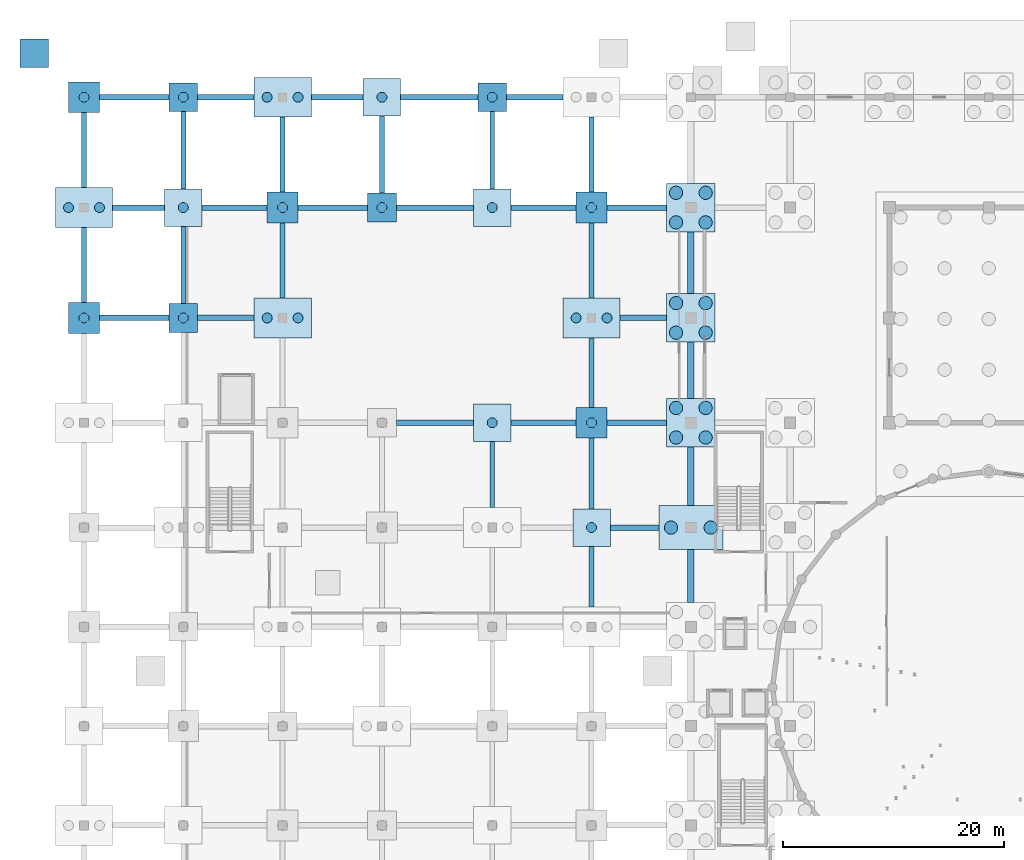
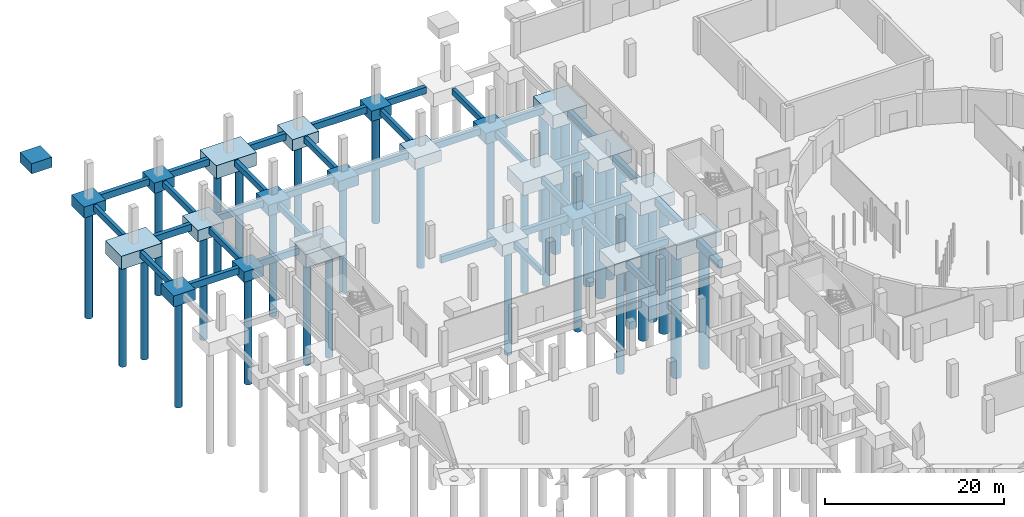
# One storey, part 6 of 40: 59 footings, 36 piles.
"""IFC4 building model written with IfcOpenShell, lengths in metres."""

import ifcopenshell
import ifcopenshell.guid

model = None  # the IFC model being written
_history = None  # IfcOwnerHistory: only IFC2X3 demands one
_inside = {}  # id of a spatial element -> (the spatial element, [elements in it])
_under = {}  # id of a project, library or spatial element -> (it, [spatial elements below it])
_declared = {}  # id of a project -> (the project, [libraries it declares])
_typed = {}  # id of a type object -> (the type object, [elements of that type])
_made_of = {}  # id of a material, layer set ... -> (it, [elements and type objects made of it])


def new_model(schema):
    """Start an empty IFC model of exactly this schema.

    Asked for "IFC4X3", IfcOpenShell would pick the latest addendum, in which some entities
    have other attributes; the version numbers below select the first issue.
    IFC2X3 requires an IfcOwnerHistory on every rooted entity: one is made here for all.
    """
    global model, _history
    if schema == "IFC4X3":
        model = ifcopenshell.file(schema_version=(4, 3, 0, 0))
    else:
        model = ifcopenshell.file(schema=schema)
    _inside.clear()
    _under.clear()
    _declared.clear()
    _typed.clear()
    _made_of.clear()
    _history = None
    if model.schema == "IFC2X3":
        org = make("IfcOrganization", Name="unknown")
        user = make(
            "IfcPersonAndOrganization",
            ThePerson=make("IfcPerson", FamilyName="unknown"),
            TheOrganization=org,
        )
        app = make(
            "IfcApplication",
            ApplicationDeveloper=org,
            Version="unknown",
            ApplicationFullName="unknown",
            ApplicationIdentifier="unknown",
        )
        _history = make(
            "IfcOwnerHistory",
            OwningUser=user,
            OwningApplication=app,
            ChangeAction="ADDED",
            CreationDate=0,
        )
    return model


def make(cls, **values):
    """One entity of the class cls with the attributes given. An attribute that is None is left unset."""
    return model.create_entity(
        cls, **{name: value for name, value in values.items() if value is not None}
    )


def rooted(cls, **values):
    """An entity with a GlobalId (a new one), such as an element, a storey or a relation."""
    return make(cls, GlobalId=ifcopenshell.guid.new(), OwnerHistory=_history, **values)


def si_unit(unit_type, name, prefix=None):
    """IfcSIUnit, for example si_unit("LENGTHUNIT", "METRE", prefix="MILLI")."""
    return make("IfcSIUnit", UnitType=unit_type, Prefix=prefix, Name=name)


def assignment(units):
    """IfcUnitAssignment: the units of a project."""
    return None if units is None else make("IfcUnitAssignment", Units=units)


def point(xyz):
    """IfcCartesianPoint."""
    return None if xyz is None else make("IfcCartesianPoint", Coordinates=xyz)


def direction(xyz):
    """IfcDirection."""
    return None if xyz is None else make("IfcDirection", DirectionRatios=xyz)


def frame(location, z_axis=None, x_axis=None):
    """IfcAxis2Placement3D, a coordinate frame: its origin and axes. An axis left out is left unset."""
    return make(
        "IfcAxis2Placement3D",
        Location=point(location),
        Axis=direction(z_axis),
        RefDirection=direction(x_axis),
    )


def frame_2d(location, x_axis=None):
    """IfcAxis2Placement2D, a coordinate frame in the plane: its origin and x axis."""
    return make(
        "IfcAxis2Placement2D", Location=point(location), RefDirection=direction(x_axis)
    )


def origin():
    """The frame at (0, 0, 0) with its axes left unset."""
    return frame((0.0, 0.0, 0.0))


def origin_2d():
    """The frame at (0, 0) in the plane with its x axis left unset."""
    return frame_2d((0.0, 0.0))


def place(relative_to, where):
    """IfcLocalPlacement: puts the frame where relative to a parent placement (None: the world)."""
    return make(
        "IfcLocalPlacement", PlacementRelTo=relative_to, RelativePlacement=where
    )


def context(
    kind, dimensions, precision=None, world=None, true_north=None, identifier=None
):
    """IfcGeometricRepresentationContext, for example the 3D "Model" context."""
    return make(
        "IfcGeometricRepresentationContext",
        ContextIdentifier=identifier,
        ContextType=kind,
        CoordinateSpaceDimension=dimensions,
        Precision=precision,
        WorldCoordinateSystem=world,
        TrueNorth=true_north,
    )


def subcontext(parent, identifier, kind, view, scale=None):
    """IfcGeometricRepresentationSubContext, for example "Body" below "Model"."""
    return make(
        "IfcGeometricRepresentationSubContext",
        ContextIdentifier=identifier,
        ContextType=kind,
        ParentContext=parent,
        TargetScale=scale,
        TargetView=view,
    )


def project(units=None, contexts=None):
    """IfcProject with its units and contexts."""
    return rooted(
        "IfcProject",
        Name="project",
        RepresentationContexts=contexts,
        UnitsInContext=assignment(units),
    )


def spatial(cls, under=None, at=None, **own):
    """A site, building, storey or space (cls), placed at a placement, below another one or the project."""
    s = rooted(cls, ObjectPlacement=at, **own)
    if under is not None:
        _under.setdefault(under.id(), (under, []))[1].append(s)
    return s


def profile(cls, at=None, kind="AREA", **sizes):
    """A parametric profile (cls). Its sizes go by their IFC names, for example OverallWidth=200.0."""
    return make(cls, ProfileType=kind, Position=at, **sizes)


def rectangle(**sizes):
    """IfcRectangleProfileDef."""
    return profile("IfcRectangleProfileDef", **sizes)


def circle(**sizes):
    """IfcCircleProfileDef."""
    return profile("IfcCircleProfileDef", **sizes)


def extrude(swept, where, along, depth):
    """IfcExtrudedAreaSolid: the profile swept, set in the frame where, extruded along a direction by depth."""
    return make(
        "IfcExtrudedAreaSolid",
        SweptArea=swept,
        Position=where,
        ExtrudedDirection=direction(along),
        Depth=depth,
    )


def shape(context_of_items, identifier, shape_type, items):
    """IfcShapeRepresentation: the items that make up one representation, for example the "Body"."""
    return make(
        "IfcShapeRepresentation",
        ContextOfItems=context_of_items,
        RepresentationIdentifier=identifier,
        RepresentationType=shape_type,
        Items=items,
    )


def material(Name=None, Category=None):
    """IfcMaterial."""
    return make("IfcMaterial", Name=Name, Category=Category)


def layer(
    of_material, thickness, ventilated=None, Name=None, Category=None, Priority=None
):
    """IfcMaterialLayer: one layer of a wall or slab, of a material (None: an air gap)."""
    return make(
        "IfcMaterialLayer",
        Material=of_material,
        LayerThickness=thickness,
        IsVentilated=ventilated,
        Name=Name,
        Category=Category,
        Priority=Priority,
    )


def layer_set(layers, Name=None):
    """IfcMaterialLayerSet."""
    return make("IfcMaterialLayerSet", MaterialLayers=layers, LayerSetName=Name)


def material_profile(
    of_material, cross_section, Name=None, Category=None, Priority=None
):
    """IfcMaterialProfile: a cross section and its material."""
    return make(
        "IfcMaterialProfile",
        Name=Name,
        Material=of_material,
        Profile=cross_section,
        Priority=Priority,
        Category=Category,
    )


def profile_set(profiles, Name=None, composite=None):
    """IfcMaterialProfileSet."""
    return make(
        "IfcMaterialProfileSet",
        Name=Name,
        MaterialProfiles=profiles,
        CompositeProfile=composite,
    )


def made_of(thing, what):
    """Note that an element or type object is made of a material, layer set ...; save() writes the relation."""
    if what is not None:
        _made_of.setdefault(what.id(), (what, []))[1].append(thing)
    return thing


def type_object(cls, material=None, **own):
    """A type object (cls), such as IfcWallType, which elements share."""
    return made_of(rooted(cls, **own), material)


def element(
    cls,
    number,
    at=None,
    inside=None,
    cuts=None,
    type_object=None,
    material=None,
    context=None,
    identifier="Body",
    shape_type=None,
    held_by="IfcProductDefinitionShape",
    body=None,
    shapes=None,
    **own,
):
    """One element of the class cls, such as IfcWall. Its Tag is "e" and its number.

    at: its placement. inside: the storey or other place that contains it. cuts: it is an
    opening in that element (IfcRelVoidsElement). A single representation is given by context,
    identifier, shape_type and body (its items); several are given by shapes. held_by: the class
    of the entity that holds the representations. save() writes the other relations.
    """
    e = rooted(cls, Tag="e%d" % number, ObjectPlacement=at, **own)
    if body is not None:
        shapes = [shape(context, identifier, shape_type, body)]
    if shapes is not None:
        e.Representation = make(held_by, Representations=shapes)
    if inside is not None:
        _inside.setdefault(inside.id(), (inside, []))[1].append(e)
    if cuts is not None:
        rooted(
            "IfcRelVoidsElement", RelatingBuildingElement=cuts, RelatedOpeningElement=e
        )
    if type_object is not None:
        _typed.setdefault(type_object.id(), (type_object, []))[1].append(e)
    return made_of(e, material)


def aggregate(whole, parts):
    """IfcRelAggregates: a whole, such as a stair, and the parts it consists of."""
    return rooted("IfcRelAggregates", RelatingObject=whole, RelatedObjects=parts)


def save(model, path):
    """Write the relations noted so far, then the file.

    IfcRelAggregates (storeys below a building ...), IfcRelContainedInSpatialStructure (elements
    in a storey), IfcRelDefinesByType, IfcRelAssociatesMaterial and IfcRelDeclares: one each for
    every whole, place, type object, material and project.
    """
    for whole, parts in _under.values():
        aggregate(whole, parts)
    for where, things in _inside.values():
        rooted(
            "IfcRelContainedInSpatialStructure",
            RelatedElements=things,
            RelatingStructure=where,
        )
    for kind, things in _typed.values():
        rooted("IfcRelDefinesByType", RelatedObjects=things, RelatingType=kind)
    for what, things in _made_of.values():
        rooted("IfcRelAssociatesMaterial", RelatedObjects=things, RelatingMaterial=what)
    for by, libraries in _declared.values():
        rooted("IfcRelDeclares", RelatingContext=by, RelatedDefinitions=libraries)
    model.write(path)


model = new_model("IFC4")

# Units and contexts
model_context = context("Model", 3, precision=1e-05, world=origin(), true_north=direction((0.0, 1.0)))
body_context = subcontext(model_context, "Body", "Model", "MODEL_VIEW")
ifc_project = project(units=[si_unit("LENGTHUNIT", "METRE"), si_unit("AREAUNIT", "SQUARE_METRE"), si_unit("VOLUMEUNIT", "CUBIC_METRE"), si_unit("PLANEANGLEUNIT", "RADIAN"), si_unit("MASSUNIT", "GRAM", prefix="KILO")], contexts=[model_context])

# Site, building, storey
site_placement = place(None, origin())
site = spatial("IfcSite", under=ifc_project, at=site_placement, CompositionType="ELEMENT")
building_placement = place(site_placement, origin())
building = spatial("IfcBuilding", under=site, at=building_placement, Name="Marnock Terrace Opera House", CompositionType="ELEMENT")
storey_placement = place(building_placement, frame((0.0, 0.0, -4.800048828125)))
storey = spatial("IfcBuildingStorey", under=building, at=storey_placement, Name="B1", CompositionType="ELEMENT", Elevation=-4.800048828125)

# Footings
ifc_material = material(Name="Concrete N40 (f'c = 40 MPa)", Category="concrete")
ifc_layer_1 = layer(ifc_material, 1.39990234375)
ifc_layer_set_1 = layer_set([ifc_layer_1], Name="Concrete N40 (f'c = 40 MPa)")
footing_type_1 = type_object("IfcFootingType", Name="FT-CAP-2600", PredefinedType="PILE_CAP", material=ifc_layer_set_1)
for number, where, z_axis, x_axis, name in (
    (1, (9.0, 94.0, -1.7998046875), (0.0, 0.0, 1.0), (1.0, 0.0, 0.0), "Pile cap FT-CAP-024"),
    (2, (9.0, 114.0, -1.7998046875), (0.0, 0.0, 1.0), (1.0, 0.0, 0.0), "Pile cap FT-CAP-026"),
    (3, (27.0, 104.0, -1.7998046875), (0.0, 0.0, 1.0), (1.0, 0.0, 0.0), "Pile cap FT-CAP-050"),
    (4, (37.0, 114.0, -1.7998046875), (0.0, 0.0, 1.0), (1.0, 0.0, 0.0), "Pile cap FT-CAP-063"),
):
    element("IfcFooting", number, at=place(storey_placement, frame(where, z_axis=z_axis, x_axis=x_axis)), inside=storey, type_object=footing_type_1, Name=name, PredefinedType="PILE_CAP", context=body_context, shape_type="SweptSolid", body=[
        extrude(rectangle(XDim=2.60009765625, YDim=2.60009765625, at=origin_2d()), origin(), (0.0, 0.0, 1.0), 1.39990234375),
    ])
ifc_layer_2 = layer(ifc_material, 1.5)
ifc_layer_set_2 = layer_set([ifc_layer_2], Name="Concrete N40 (f'c = 40 MPa)")
footing_type_2 = type_object("IfcFootingType", Name="FT-CAP-2800", PredefinedType="PILE_CAP", material=ifc_layer_set_2)
for number, where, z_axis, x_axis, name in (
    (5, (0.0, 94.0, -1.89990234375), (0.0, 0.0, 1.0), (1.0, 0.0, 0.0), "Pile cap FT-CAP-011"),
    (6, (0.0, 114.0, -1.89990234375), (0.0, 0.0, 1.0), (1.0, 0.0, 0.0), "Pile cap FT-CAP-013"),
    (7, (18.0, 104.0, -1.89990234375), (0.0, 0.0, 1.0), (1.0, 0.0, 0.0), "Pile cap FT-CAP-038"),
    (8, (46.0, 84.5, -1.89990234375), (0.0, 0.0, 1.0), (1.0, 0.0, 0.0), "Pile cap FT-CAP-073"),
    (9, (46.0, 104.0, -1.89990234375), (0.0, 0.0, 1.0), (1.0, 0.0, 0.0), "Pile cap FT-CAP-075"),
):
    element("IfcFooting", number, at=place(storey_placement, frame(where, z_axis=z_axis, x_axis=x_axis)), inside=storey, type_object=footing_type_2, Name=name, PredefinedType="PILE_CAP", context=body_context, shape_type="SweptSolid", body=[
        extrude(rectangle(XDim=2.800048828125, YDim=2.800048828125, at=origin_2d()), origin(), (0.0, 0.0, 1.0), 1.5),
    ])
ifc_layer_3 = layer(ifc_material, 1.550048828125)
ifc_layer_set_3 = layer_set([ifc_layer_3], Name="Concrete N40 (f'c = 40 MPa)")
footing_type_3 = type_object("IfcFootingType", Name="FT-CAP-3400", PredefinedType="PILE_CAP", material=ifc_layer_set_3)
for number, where, z_axis, x_axis, name in (
    (10, (9.0, 104.0, -1.9501953125), (0.0, 0.0, 1.0), (1.0, 0.0, 0.0), "Pile cap FT-CAP-025"),
    (11, (27.0, 114.0, -1.9501953125), (0.0, 0.0, 1.0), (1.0, 0.0, 0.0), "Pile cap FT-CAP-051"),
    (12, (37.0, 84.5, -1.9501953125), (0.0, 0.0, 1.0), (1.0, 0.0, 0.0), "Pile cap FT-CAP-061"),
    (13, (37.0, 104.0, -1.9501953125), (0.0, 0.0, 1.0), (1.0, 0.0, 0.0), "Pile cap FT-CAP-062"),
    (14, (46.0, 75.0, -1.9501953125), (0.0, 0.0, 1.0), (1.0, 0.0, 0.0), "Pile cap FT-CAP-072"),
):
    element("IfcFooting", number, at=place(storey_placement, frame(where, z_axis=z_axis, x_axis=x_axis)), inside=storey, type_object=footing_type_3, Name=name, PredefinedType="PILE_CAP", context=body_context, shape_type="SweptSolid", body=[
        extrude(rectangle(XDim=3.39990234375, YDim=3.39990234375, at=origin_2d()), origin(), (0.0, 0.0, 1.0), 1.550048828125),
    ])
ifc_layer_4 = layer(ifc_material, 1.800048828125)
ifc_layer_set_4 = layer_set([ifc_layer_4], Name="Concrete N40 (f'c = 40 MPa)")
footing_type_4 = type_object("IfcFootingType", Name="FT-CAP-4400", PredefinedType="PILE_CAP", material=ifc_layer_set_4)
for number, where, z_axis, x_axis, name in (
    (15, (55.0, 84.5, -2.2001953125), (0.0, 0.0, 1.0), (1.0, 0.0, 0.0), "Pile cap FT-CAP-086"),
    (16, (55.0, 94.0, -2.2001953125), (0.0, 0.0, 1.0), (1.0, 0.0, 0.0), "Pile cap FT-CAP-087"),
    (17, (55.0, 104.0, -2.2001953125), (0.0, 0.0, 1.0), (1.0, 0.0, 0.0), "Pile cap FT-CAP-088"),
):
    element("IfcFooting", number, at=place(storey_placement, frame(where, z_axis=z_axis, x_axis=x_axis)), inside=storey, type_object=footing_type_4, Name=name, PredefinedType="PILE_CAP", context=body_context, shape_type="SweptSolid", body=[
        extrude(rectangle(XDim=4.39990234375, YDim=4.39990234375, at=origin_2d()), origin(), (0.0, 0.0, 1.0), 1.800048828125),
    ])
ifc_layer_5 = layer(ifc_material, 1.800048828125)
ifc_layer_set_5 = layer_set([ifc_layer_5], Name="Concrete N40 (f'c = 40 MPa)")
footing_type_5 = type_object("IfcFootingType", Name="FT-CAP-5200", PredefinedType="PILE_CAP", material=ifc_layer_set_5)
for number, where, z_axis, x_axis, name in (
    (18, (0.0, 104.0, -2.2001953125), (0.0, 0.0, 1.0), (1.0, 0.0, 0.0), "Pile cap FT-CAP-012"),
    (19, (18.0, 94.0, -2.2001953125), (0.0, 0.0, 1.0), (1.0, 0.0, 0.0), "Pile cap FT-CAP-037"),
    (20, (18.0, 114.0, -2.2001953125), (0.0, 0.0, 1.0), (1.0, 0.0, 0.0), "Pile cap FT-CAP-039"),
    (21, (46.0, 94.0, -2.2001953125), (0.0, 0.0, 1.0), (1.0, 0.0, 0.0), "Pile cap FT-CAP-074"),
):
    element("IfcFooting", number, at=place(storey_placement, frame(where, z_axis=z_axis, x_axis=x_axis)), inside=storey, type_object=footing_type_5, Name=name, PredefinedType="PILE_CAP", context=body_context, shape_type="SweptSolid", body=[
        extrude(rectangle(XDim=5.199951171875, YDim=3.60009765625, at=origin_2d()), origin(), (0.0, 0.0, 1.0), 1.800048828125),
    ])
ifc_layer_6 = layer(ifc_material, 1.89990234375)
ifc_layer_set_6 = layer_set([ifc_layer_6], Name="Concrete N40 (f'c = 40 MPa)")
footing_type_6 = type_object("IfcFootingType", Name="FT-CAP-5800", PredefinedType="PILE_CAP", material=ifc_layer_set_6)
footing_1_placement = place(storey_placement, frame((55.0, 75.0, -2.2998046875), z_axis=(0.0, 0.0, 1.0), x_axis=(1.0, 0.0, 0.0)))
element("IfcFooting", 22, at=footing_1_placement, inside=storey, type_object=footing_type_6, Name="Pile cap FT-CAP-085", PredefinedType="PILE_CAP", context=body_context, shape_type="SweptSolid", body=[
    extrude(rectangle(XDim=5.800048828125, YDim=4.0, at=origin_2d()), origin(), (0.0, 0.0, 1.0), 1.89990234375),
])
ifc_material_profile_1 = material_profile(ifc_material, rectangle(XDim=0.449951171875, YDim=0.800048828125, at=origin_2d()))
ifc_profile_set_1 = profile_set([ifc_material_profile_1], Name="Concrete N40 (f'c = 40 MPa)")
footing_type_7 = type_object("IfcFootingType", Name="FT-GB-450", PredefinedType="FOOTING_BEAM", material=ifc_profile_set_1)
for number, where, z_axis, x_axis, name in (
    (23, (0.0, 95.39990234375, -0.949951171875), (0.0, 1.0, 0.0), (-1.0, 0.0, 0.0), "Ground tie beam Y-11"),
    (24, (0.0, 105.800048828125, -0.949951171875), (0.0, 1.0, 0.0), (-1.0, 0.0, 0.0), "Ground tie beam Y-12"),
):
    element("IfcFooting", number, at=place(storey_placement, frame(where, z_axis=z_axis, x_axis=x_axis)), inside=storey, type_object=footing_type_7, Name=name, PredefinedType="FOOTING_BEAM", context=body_context, shape_type="SweptSolid", body=[
        extrude(rectangle(XDim=0.449951171875, YDim=0.800048828125, at=origin_2d()), origin(), (0.0, 0.0, 1.0), 6.800048828125),
    ])
for number, where, z_axis, x_axis, name in (
    (25, (9.0, 95.300048828125, -0.949951171875), (0.0, 1.0, 0.0), (-1.0, 0.0, 0.0), "Ground tie beam Y-23"),
    (26, (9.0, 105.699951171875, -0.949951171875), (0.0, 1.0, 0.0), (-1.0, 0.0, 0.0), "Ground tie beam Y-24"),
):
    element("IfcFooting", number, at=place(storey_placement, frame(where, z_axis=z_axis, x_axis=x_axis)), inside=storey, type_object=footing_type_7, Name=name, PredefinedType="FOOTING_BEAM", context=body_context, shape_type="SweptSolid", body=[
        extrude(rectangle(XDim=0.449951171875, YDim=0.800048828125, at=origin_2d()), origin(), (0.0, 0.0, 1.0), 7.0),
    ])
for number, where, z_axis, x_axis, name in (
    (27, (18.0, 95.800048828125, -0.949951171875), (0.0, 1.0, 0.0), (-1.0, 0.0, 0.0), "Ground tie beam Y-35"),
    (28, (18.0, 105.39990234375, -0.949951171875), (0.0, 1.0, 0.0), (-1.0, 0.0, 0.0), "Ground tie beam Y-36"),
):
    element("IfcFooting", number, at=place(storey_placement, frame(where, z_axis=z_axis, x_axis=x_axis)), inside=storey, type_object=footing_type_7, Name=name, PredefinedType="FOOTING_BEAM", context=body_context, shape_type="SweptSolid", body=[
        extrude(rectangle(XDim=0.449951171875, YDim=0.800048828125, at=origin_2d()), origin(), (0.0, 0.0, 1.0), 6.800048828125),
    ])
footing_2_placement = place(storey_placement, frame((27.0, 105.300048828125, -0.949951171875), z_axis=(0.0, 1.0, 0.0), x_axis=(-1.0, 0.0, 0.0)))
element("IfcFooting", 29, at=footing_2_placement, inside=storey, type_object=footing_type_7, Name="Ground tie beam Y-46", PredefinedType="FOOTING_BEAM", context=body_context, shape_type="SweptSolid", body=[
    extrude(rectangle(XDim=0.449951171875, YDim=0.800048828125, at=origin_2d()), origin(), (0.0, 0.0, 1.0), 7.0),
])
footing_3_placement = place(storey_placement, frame((37.0, 76.800048828125, -0.949951171875), z_axis=(0.0, 1.0, 0.0), x_axis=(-1.0, 0.0, 0.0)))
element("IfcFooting", 30, at=footing_3_placement, inside=storey, type_object=footing_type_7, Name="Ground tie beam Y-55", PredefinedType="FOOTING_BEAM", context=body_context, shape_type="SweptSolid", body=[
    extrude(rectangle(XDim=0.449951171875, YDim=0.800048828125, at=origin_2d()), origin(), (0.0, 0.0, 1.0), 6.0),
])
footing_4_placement = place(storey_placement, frame((37.0, 105.699951171875, -0.949951171875), z_axis=(0.0, 1.0, 0.0), x_axis=(-1.0, 0.0, 0.0)))
element("IfcFooting", 31, at=footing_4_placement, inside=storey, type_object=footing_type_7, Name="Ground tie beam Y-56", PredefinedType="FOOTING_BEAM", context=body_context, shape_type="SweptSolid", body=[
    extrude(rectangle(XDim=0.449951171875, YDim=0.800048828125, at=origin_2d()), origin(), (0.0, 0.0, 1.0), 7.0),
])
footing_5_placement = place(storey_placement, frame((46.0, 67.800048828125, -0.949951171875), z_axis=(0.0, 1.0, 0.0), x_axis=(-1.0, 0.0, 0.0)))
element("IfcFooting", 32, at=footing_5_placement, inside=storey, type_object=footing_type_7, Name="Ground tie beam Y-64", PredefinedType="FOOTING_BEAM", context=body_context, shape_type="SweptSolid", body=[
    extrude(rectangle(XDim=0.449951171875, YDim=0.800048828125, at=origin_2d()), origin(), (0.0, 0.0, 1.0), 5.5),
])
footing_6_placement = place(storey_placement, frame((46.0, 76.699951171875, -0.949951171875), z_axis=(0.0, 1.0, 0.0), x_axis=(-1.0, 0.0, 0.0)))
element("IfcFooting", 33, at=footing_6_placement, inside=storey, type_object=footing_type_7, Name="Ground tie beam Y-65", PredefinedType="FOOTING_BEAM", context=body_context, shape_type="SweptSolid", body=[
    extrude(rectangle(XDim=0.449951171875, YDim=0.800048828125, at=origin_2d()), origin(), (0.0, 0.0, 1.0), 6.400146484375),
])
footing_7_placement = place(storey_placement, frame((46.0, 85.89990234375, -0.949951171875), z_axis=(0.0, 1.0, 0.0), x_axis=(-1.0, 0.0, 0.0)))
element("IfcFooting", 34, at=footing_7_placement, inside=storey, type_object=footing_type_7, Name="Ground tie beam Y-66", PredefinedType="FOOTING_BEAM", context=body_context, shape_type="SweptSolid", body=[
    extrude(rectangle(XDim=0.449951171875, YDim=0.800048828125, at=origin_2d()), origin(), (0.0, 0.0, 1.0), 6.300048828125),
])
for number, where, z_axis, x_axis, name in (
    (35, (46.0, 95.800048828125, -0.949951171875), (0.0, 1.0, 0.0), (-1.0, 0.0, 0.0), "Ground tie beam Y-67"),
    (36, (46.0, 105.39990234375, -0.949951171875), (0.0, 1.0, 0.0), (-1.0, 0.0, 0.0), "Ground tie beam Y-68"),
):
    element("IfcFooting", number, at=place(storey_placement, frame(where, z_axis=z_axis, x_axis=x_axis)), inside=storey, type_object=footing_type_7, Name=name, PredefinedType="FOOTING_BEAM", context=body_context, shape_type="SweptSolid", body=[
        extrude(rectangle(XDim=0.449951171875, YDim=0.800048828125, at=origin_2d()), origin(), (0.0, 0.0, 1.0), 6.800048828125),
    ])
ifc_material_profile_2 = material_profile(ifc_material, rectangle(XDim=0.5, YDim=0.89990234375, at=origin_2d()))
ifc_profile_set_2 = profile_set([ifc_material_profile_2], Name="Concrete N40 (f'c = 40 MPa)")
footing_type_8 = type_object("IfcFootingType", Name="FT-GB-500", PredefinedType="FOOTING_BEAM", material=ifc_profile_set_2)
footing_8_placement = place(storey_placement, frame((47.699951171875, 75.0, -0.849853515625), z_axis=(1.0, 0.0, 0.0), x_axis=(0.0, 1.0, 0.0)))
element("IfcFooting", 37, at=footing_8_placement, inside=storey, type_object=footing_type_8, Name="Ground tie beam X-328", PredefinedType="FOOTING_BEAM", context=body_context, shape_type="SweptSolid", body=[
    extrude(rectangle(XDim=0.5, YDim=0.89990234375, at=origin_2d()), origin(), (0.0, 0.0, 1.0), 4.400146484375),
])
footing_9_placement = place(storey_placement, frame((28.300048828125, 84.5, -0.849853515625), z_axis=(1.0, 0.0, 0.0), x_axis=(0.0, 1.0, 0.0)))
element("IfcFooting", 38, at=footing_9_placement, inside=storey, type_object=footing_type_8, Name="Ground tie beam X-340", PredefinedType="FOOTING_BEAM", context=body_context, shape_type="SweptSolid", body=[
    extrude(rectangle(XDim=0.5, YDim=0.89990234375, at=origin_2d()), origin(), (0.0, 0.0, 1.0), 7.0),
])
footing_10_placement = place(storey_placement, frame((38.699951171875, 84.5, -0.849853515625), z_axis=(1.0, 0.0, 0.0), x_axis=(0.0, 1.0, 0.0)))
element("IfcFooting", 39, at=footing_10_placement, inside=storey, type_object=footing_type_8, Name="Ground tie beam X-341", PredefinedType="FOOTING_BEAM", context=body_context, shape_type="SweptSolid", body=[
    extrude(rectangle(XDim=0.5, YDim=0.89990234375, at=origin_2d()), origin(), (0.0, 0.0, 1.0), 5.900146484375),
])
footing_11_placement = place(storey_placement, frame((47.39990234375, 84.5, -0.849853515625), z_axis=(1.0, 0.0, 0.0), x_axis=(0.0, 1.0, 0.0)))
element("IfcFooting", 40, at=footing_11_placement, inside=storey, type_object=footing_type_8, Name="Ground tie beam X-342", PredefinedType="FOOTING_BEAM", context=body_context, shape_type="SweptSolid", body=[
    extrude(rectangle(XDim=0.5, YDim=0.89990234375, at=origin_2d()), origin(), (0.0, 0.0, 1.0), 5.400146484375),
])
footing_12_placement = place(storey_placement, frame((1.39990234375, 94.0, -0.849853515625), z_axis=(1.0, 0.0, 0.0), x_axis=(0.0, 1.0, 0.0)))
element("IfcFooting", 41, at=footing_12_placement, inside=storey, type_object=footing_type_8, Name="Ground tie beam X-351", PredefinedType="FOOTING_BEAM", context=body_context, shape_type="SweptSolid", body=[
    extrude(rectangle(XDim=0.5, YDim=0.89990234375, at=origin_2d()), origin(), (0.0, 0.0, 1.0), 6.300048828125),
])
footing_13_placement = place(storey_placement, frame((10.300048828125, 94.0, -0.849853515625), z_axis=(1.0, 0.0, 0.0), x_axis=(0.0, 1.0, 0.0)))
element("IfcFooting", 42, at=footing_13_placement, inside=storey, type_object=footing_type_8, Name="Ground tie beam X-352", PredefinedType="FOOTING_BEAM", context=body_context, shape_type="SweptSolid", body=[
    extrude(rectangle(XDim=0.5, YDim=0.89990234375, at=origin_2d()), origin(), (0.0, 0.0, 1.0), 5.099853515625),
])
footing_14_placement = place(storey_placement, frame((48.60009765625, 94.0, -0.849853515625), z_axis=(1.0, 0.0, 0.0), x_axis=(0.0, 1.0, 0.0)))
element("IfcFooting", 43, at=footing_14_placement, inside=storey, type_object=footing_type_8, Name="Ground tie beam X-353", PredefinedType="FOOTING_BEAM", context=body_context, shape_type="SweptSolid", body=[
    extrude(rectangle(XDim=0.5, YDim=0.89990234375, at=origin_2d()), origin(), (0.0, 0.0, 1.0), 4.199951171875),
])
footing_15_placement = place(storey_placement, frame((2.60009765625, 104.0, -0.849853515625), z_axis=(1.0, 0.0, 0.0), x_axis=(0.0, 1.0, 0.0)))
element("IfcFooting", 44, at=footing_15_placement, inside=storey, type_object=footing_type_8, Name="Ground tie beam X-360", PredefinedType="FOOTING_BEAM", context=body_context, shape_type="SweptSolid", body=[
    extrude(rectangle(XDim=0.5, YDim=0.89990234375, at=origin_2d()), origin(), (0.0, 0.0, 1.0), 4.699951171875),
])
footing_16_placement = place(storey_placement, frame((10.699951171875, 104.0, -0.849853515625), z_axis=(1.0, 0.0, 0.0), x_axis=(0.0, 1.0, 0.0)))
element("IfcFooting", 45, at=footing_16_placement, inside=storey, type_object=footing_type_8, Name="Ground tie beam X-361", PredefinedType="FOOTING_BEAM", context=body_context, shape_type="SweptSolid", body=[
    extrude(rectangle(XDim=0.5, YDim=0.89990234375, at=origin_2d()), origin(), (0.0, 0.0, 1.0), 5.900146484375),
])
footing_17_placement = place(storey_placement, frame((19.39990234375, 104.0, -0.849853515625), z_axis=(1.0, 0.0, 0.0), x_axis=(0.0, 1.0, 0.0)))
element("IfcFooting", 46, at=footing_17_placement, inside=storey, type_object=footing_type_8, Name="Ground tie beam X-362", PredefinedType="FOOTING_BEAM", context=body_context, shape_type="SweptSolid", body=[
    extrude(rectangle(XDim=0.5, YDim=0.89990234375, at=origin_2d()), origin(), (0.0, 0.0, 1.0), 6.300048828125),
])
footing_18_placement = place(storey_placement, frame((28.300048828125, 104.0, -0.849853515625), z_axis=(1.0, 0.0, 0.0), x_axis=(0.0, 1.0, 0.0)))
element("IfcFooting", 47, at=footing_18_placement, inside=storey, type_object=footing_type_8, Name="Ground tie beam X-363", PredefinedType="FOOTING_BEAM", context=body_context, shape_type="SweptSolid", body=[
    extrude(rectangle(XDim=0.5, YDim=0.89990234375, at=origin_2d()), origin(), (0.0, 0.0, 1.0), 7.0),
])
footing_19_placement = place(storey_placement, frame((38.699951171875, 104.0, -0.849853515625), z_axis=(1.0, 0.0, 0.0), x_axis=(0.0, 1.0, 0.0)))
element("IfcFooting", 48, at=footing_19_placement, inside=storey, type_object=footing_type_8, Name="Ground tie beam X-364", PredefinedType="FOOTING_BEAM", context=body_context, shape_type="SweptSolid", body=[
    extrude(rectangle(XDim=0.5, YDim=0.89990234375, at=origin_2d()), origin(), (0.0, 0.0, 1.0), 5.900146484375),
])
footing_20_placement = place(storey_placement, frame((47.39990234375, 104.0, -0.849853515625), z_axis=(1.0, 0.0, 0.0), x_axis=(0.0, 1.0, 0.0)))
element("IfcFooting", 49, at=footing_20_placement, inside=storey, type_object=footing_type_8, Name="Ground tie beam X-365", PredefinedType="FOOTING_BEAM", context=body_context, shape_type="SweptSolid", body=[
    extrude(rectangle(XDim=0.5, YDim=0.89990234375, at=origin_2d()), origin(), (0.0, 0.0, 1.0), 5.400146484375),
])
footing_21_placement = place(storey_placement, frame((1.39990234375, 114.0, -0.849853515625), z_axis=(1.0, 0.0, 0.0), x_axis=(0.0, 1.0, 0.0)))
element("IfcFooting", 50, at=footing_21_placement, inside=storey, type_object=footing_type_8, Name="Ground tie beam X-374", PredefinedType="FOOTING_BEAM", context=body_context, shape_type="SweptSolid", body=[
    extrude(rectangle(XDim=0.5, YDim=0.89990234375, at=origin_2d()), origin(), (0.0, 0.0, 1.0), 6.300048828125),
])
footing_22_placement = place(storey_placement, frame((10.300048828125, 114.0, -0.849853515625), z_axis=(1.0, 0.0, 0.0), x_axis=(0.0, 1.0, 0.0)))
element("IfcFooting", 51, at=footing_22_placement, inside=storey, type_object=footing_type_8, Name="Ground tie beam X-375", PredefinedType="FOOTING_BEAM", context=body_context, shape_type="SweptSolid", body=[
    extrude(rectangle(XDim=0.5, YDim=0.89990234375, at=origin_2d()), origin(), (0.0, 0.0, 1.0), 5.099853515625),
])
footing_23_placement = place(storey_placement, frame((20.60009765625, 114.0, -0.849853515625), z_axis=(1.0, 0.0, 0.0), x_axis=(0.0, 1.0, 0.0)))
element("IfcFooting", 52, at=footing_23_placement, inside=storey, type_object=footing_type_8, Name="Ground tie beam X-376", PredefinedType="FOOTING_BEAM", context=body_context, shape_type="SweptSolid", body=[
    extrude(rectangle(XDim=0.5, YDim=0.89990234375, at=origin_2d()), origin(), (0.0, 0.0, 1.0), 4.699951171875),
])
footing_24_placement = place(storey_placement, frame((28.699951171875, 114.0, -0.849853515625), z_axis=(1.0, 0.0, 0.0), x_axis=(0.0, 1.0, 0.0)))
element("IfcFooting", 53, at=footing_24_placement, inside=storey, type_object=footing_type_8, Name="Ground tie beam X-377", PredefinedType="FOOTING_BEAM", context=body_context, shape_type="SweptSolid", body=[
    extrude(rectangle(XDim=0.5, YDim=0.89990234375, at=origin_2d()), origin(), (0.0, 0.0, 1.0), 7.0),
])
footing_25_placement = place(storey_placement, frame((38.300048828125, 114.0, -0.849853515625), z_axis=(1.0, 0.0, 0.0), x_axis=(0.0, 1.0, 0.0)))
element("IfcFooting", 54, at=footing_25_placement, inside=storey, type_object=footing_type_8, Name="Ground tie beam X-378", PredefinedType="FOOTING_BEAM", context=body_context, shape_type="SweptSolid", body=[
    extrude(rectangle(XDim=0.5, YDim=0.89990234375, at=origin_2d()), origin(), (0.0, 0.0, 1.0), 5.099853515625),
])
ifc_material_profile_3 = material_profile(ifc_material, rectangle(XDim=0.60009765625, YDim=1.10009765625, at=origin_2d()))
ifc_profile_set_3 = profile_set([ifc_material_profile_3], Name="Concrete N40 (f'c = 40 MPa)")
footing_type_9 = type_object("IfcFootingType", Name="FT-GB-600", PredefinedType="FOOTING_BEAM", material=ifc_profile_set_3)
footing_26_placement = place(storey_placement, frame((55.0, 68.199951171875, -0.949951171875), z_axis=(0.0, 1.0, 0.0), x_axis=(-1.0, 0.0, 0.0)))
element("IfcFooting", 55, at=footing_26_placement, inside=storey, type_object=footing_type_9, Name="Ground tie beam Y-76", PredefinedType="FOOTING_BEAM", context=body_context, shape_type="SweptSolid", body=[
    extrude(rectangle(XDim=0.60009765625, YDim=1.10009765625, at=origin_2d()), origin(), (0.0, 0.0, 1.0), 4.800048828125),
])
footing_27_placement = place(storey_placement, frame((55.0, 77.0, -0.949951171875), z_axis=(0.0, 1.0, 0.0), x_axis=(-1.0, 0.0, 0.0)))
element("IfcFooting", 56, at=footing_27_placement, inside=storey, type_object=footing_type_9, Name="Ground tie beam Y-77", PredefinedType="FOOTING_BEAM", context=body_context, shape_type="SweptSolid", body=[
    extrude(rectangle(XDim=0.60009765625, YDim=1.10009765625, at=origin_2d()), origin(), (0.0, 0.0, 1.0), 5.300048828125),
])
footing_28_placement = place(storey_placement, frame((55.0, 86.699951171875, -0.949951171875), z_axis=(0.0, 1.0, 0.0), x_axis=(-1.0, 0.0, 0.0)))
element("IfcFooting", 57, at=footing_28_placement, inside=storey, type_object=footing_type_9, Name="Ground tie beam Y-78", PredefinedType="FOOTING_BEAM", context=body_context, shape_type="SweptSolid", body=[
    extrude(rectangle(XDim=0.60009765625, YDim=1.10009765625, at=origin_2d()), origin(), (0.0, 0.0, 1.0), 5.10009765625),
])
footing_29_placement = place(storey_placement, frame((55.0, 96.199951171875, -0.949951171875), z_axis=(0.0, 1.0, 0.0), x_axis=(-1.0, 0.0, 0.0)))
element("IfcFooting", 58, at=footing_29_placement, inside=storey, type_object=footing_type_9, Name="Ground tie beam Y-79", PredefinedType="FOOTING_BEAM", context=body_context, shape_type="SweptSolid", body=[
    extrude(rectangle(XDim=0.60009765625, YDim=1.10009765625, at=origin_2d()), origin(), (0.0, 0.0, 1.0), 5.60009765625),
])
ifc_layer_7 = layer(ifc_material, 1.39990234375)
ifc_layer_set_7 = layer_set([ifc_layer_7], Name="Concrete N40 (f'c = 40 MPa)")
footing_type_10 = type_object("IfcFootingType", Name="FT-PAD-2600", PredefinedType="PAD_FOOTING", material=ifc_layer_set_7)
footing_30_placement = place(storey_placement, frame((-4.5, 118.0, 3.16015625), z_axis=(0.0, 0.0, 1.0), x_axis=(1.0, 0.0, 0.0)))
element("IfcFooting", 59, at=footing_30_placement, inside=storey, type_object=footing_type_10, Name="Upper-terrace grade pad footing FT-APR-DK2", PredefinedType="PAD_FOOTING", context=body_context, shape_type="SweptSolid", body=[
    extrude(rectangle(XDim=2.60009765625, YDim=2.60009765625, at=origin_2d()), origin(), (0.0, 0.0, 1.0), 1.39990234375),
])

# Piles
ifc_material_profile_4 = material_profile(ifc_material, circle(Radius=0.6005859375, at=origin_2d()))
ifc_profile_set_4 = profile_set([ifc_material_profile_4], Name="Concrete N40 (f'c = 40 MPa)")
pile_type_1 = type_object("IfcPileType", Name="PILE-CFA-1200", PredefinedType="BORED", material=ifc_profile_set_4)
for number, where, z_axis, x_axis, name in (
    (60, (53.199951171875, 75.0, -2.199951171875), (0.0, 0.0, -1.0), (1.0, 0.0, 0.0), "Bored CFA pile 85.1"),
    (61, (56.800048828125, 75.0, -2.199951171875), (0.0, 0.0, -1.0), (1.0, 0.0, 0.0), "Bored CFA pile 85.2"),
):
    element("IfcPile", number, at=place(storey_placement, frame(where, z_axis=z_axis, x_axis=x_axis)), inside=storey, type_object=pile_type_1, Name=name, PredefinedType="BORED", context=body_context, shape_type="SweptSolid", body=[
        extrude(circle(Radius=0.6005859375, at=origin_2d()), origin(), (0.0, 0.0, 1.0), 17.5),
    ])
for number, where, z_axis, x_axis, name in (
    (62, (53.659912109375, 83.159912109375, -2.099853515625), (0.0, 0.0, -1.0), (1.0, 0.0, 0.0), "Bored CFA pile 86.1"),
    (63, (56.340087890625, 83.159912109375, -2.099853515625), (0.0, 0.0, -1.0), (1.0, 0.0, 0.0), "Bored CFA pile 86.2"),
    (64, (53.659912109375, 85.840087890625, -2.099853515625), (0.0, 0.0, -1.0), (1.0, 0.0, 0.0), "Bored CFA pile 86.3"),
    (65, (56.340087890625, 85.840087890625, -2.099853515625), (0.0, 0.0, -1.0), (1.0, 0.0, 0.0), "Bored CFA pile 86.4"),
    (66, (53.659912109375, 92.659912109375, -2.099853515625), (0.0, 0.0, -1.0), (1.0, 0.0, 0.0), "Bored CFA pile 87.1"),
    (67, (56.340087890625, 92.659912109375, -2.099853515625), (0.0, 0.0, -1.0), (1.0, 0.0, 0.0), "Bored CFA pile 87.2"),
    (68, (53.659912109375, 95.340087890625, -2.099853515625), (0.0, 0.0, -1.0), (1.0, 0.0, 0.0), "Bored CFA pile 87.3"),
    (69, (56.340087890625, 95.340087890625, -2.099853515625), (0.0, 0.0, -1.0), (1.0, 0.0, 0.0), "Bored CFA pile 87.4"),
    (70, (53.659912109375, 102.659912109375, -2.099853515625), (0.0, 0.0, -1.0), (1.0, 0.0, 0.0), "Bored CFA pile 88.1"),
    (71, (56.340087890625, 102.659912109375, -2.099853515625), (0.0, 0.0, -1.0), (1.0, 0.0, 0.0), "Bored CFA pile 88.2"),
    (72, (53.659912109375, 105.340087890625, -2.099853515625), (0.0, 0.0, -1.0), (1.0, 0.0, 0.0), "Bored CFA pile 88.3"),
    (73, (56.340087890625, 105.340087890625, -2.099853515625), (0.0, 0.0, -1.0), (1.0, 0.0, 0.0), "Bored CFA pile 88.4"),
):
    element("IfcPile", number, at=place(storey_placement, frame(where, z_axis=z_axis, x_axis=x_axis)), inside=storey, type_object=pile_type_1, Name=name, PredefinedType="BORED", context=body_context, shape_type="SweptSolid", body=[
        extrude(circle(Radius=0.6005859375, at=origin_2d()), origin(), (0.0, 0.0, 1.0), 17.60009765625),
    ])
ifc_material_profile_5 = material_profile(ifc_material, circle(Radius=0.449951171875, at=origin_2d()))
ifc_profile_set_5 = profile_set([ifc_material_profile_5], Name="Concrete N40 (f'c = 40 MPa)")
pile_type_2 = type_object("IfcPileType", Name="PILE-CFA-900", PredefinedType="BORED", material=ifc_profile_set_5)
pile_1_placement = place(storey_placement, frame((0.0, 94.0, -1.800048828125), z_axis=(0.0, 0.0, -1.0), x_axis=(1.0, 0.0, 0.0)))
element("IfcPile", 74, at=pile_1_placement, inside=storey, type_object=pile_type_2, Name="Bored CFA pile 11.1", PredefinedType="BORED", context=body_context, shape_type="SweptSolid", body=[
    extrude(circle(Radius=0.449951171875, at=origin_2d()), origin(), (0.0, 0.0, 1.0), 14.89990234375),
])
for number, where, z_axis, x_axis, name in (
    (75, (-1.39990234375, 104.0, -2.099853515625), (0.0, 0.0, -1.0), (1.0, 0.0, 0.0), "Bored CFA pile 12.1"),
    (76, (1.39990234375, 104.0, -2.099853515625), (0.0, 0.0, -1.0), (1.0, 0.0, 0.0), "Bored CFA pile 12.2"),
):
    element("IfcPile", number, at=place(storey_placement, frame(where, z_axis=z_axis, x_axis=x_axis)), inside=storey, type_object=pile_type_2, Name=name, PredefinedType="BORED", context=body_context, shape_type="SweptSolid", body=[
        extrude(circle(Radius=0.449951171875, at=origin_2d()), origin(), (0.0, 0.0, 1.0), 14.60009765625),
    ])
pile_2_placement = place(storey_placement, frame((0.0, 114.0, -1.800048828125), z_axis=(0.0, 0.0, -1.0), x_axis=(1.0, 0.0, 0.0)))
element("IfcPile", 77, at=pile_2_placement, inside=storey, type_object=pile_type_2, Name="Bored CFA pile 13.1", PredefinedType="BORED", context=body_context, shape_type="SweptSolid", body=[
    extrude(circle(Radius=0.449951171875, at=origin_2d()), origin(), (0.0, 0.0, 1.0), 14.89990234375),
])
pile_3_placement = place(storey_placement, frame((9.0, 94.0, -1.699951171875), z_axis=(0.0, 0.0, -1.0), x_axis=(1.0, 0.0, 0.0)))
element("IfcPile", 78, at=pile_3_placement, inside=storey, type_object=pile_type_2, Name="Bored CFA pile 24.1", PredefinedType="BORED", context=body_context, shape_type="SweptSolid", body=[
    extrude(circle(Radius=0.449951171875, at=origin_2d()), origin(), (0.0, 0.0, 1.0), 15.0),
])
pile_4_placement = place(storey_placement, frame((9.0, 104.0, -1.849853515625), z_axis=(0.0, 0.0, -1.0), x_axis=(1.0, 0.0, 0.0)))
element("IfcPile", 79, at=pile_4_placement, inside=storey, type_object=pile_type_2, Name="Bored CFA pile 25.1", PredefinedType="BORED", context=body_context, shape_type="SweptSolid", body=[
    extrude(circle(Radius=0.449951171875, at=origin_2d()), origin(), (0.0, 0.0, 1.0), 14.85009765625),
])
pile_5_placement = place(storey_placement, frame((9.0, 114.0, -1.699951171875), z_axis=(0.0, 0.0, -1.0), x_axis=(1.0, 0.0, 0.0)))
element("IfcPile", 80, at=pile_5_placement, inside=storey, type_object=pile_type_2, Name="Bored CFA pile 26.1", PredefinedType="BORED", context=body_context, shape_type="SweptSolid", body=[
    extrude(circle(Radius=0.449951171875, at=origin_2d()), origin(), (0.0, 0.0, 1.0), 15.0),
])
for number, where, z_axis, x_axis, name in (
    (81, (16.60009765625, 94.0, -2.099853515625), (0.0, 0.0, -1.0), (1.0, 0.0, 0.0), "Bored CFA pile 37.1"),
    (82, (19.39990234375, 94.0, -2.099853515625), (0.0, 0.0, -1.0), (1.0, 0.0, 0.0), "Bored CFA pile 37.2"),
):
    element("IfcPile", number, at=place(storey_placement, frame(where, z_axis=z_axis, x_axis=x_axis)), inside=storey, type_object=pile_type_2, Name=name, PredefinedType="BORED", context=body_context, shape_type="SweptSolid", body=[
        extrude(circle(Radius=0.449951171875, at=origin_2d()), origin(), (0.0, 0.0, 1.0), 14.60009765625),
    ])
pile_6_placement = place(storey_placement, frame((18.0, 104.0, -1.800048828125), z_axis=(0.0, 0.0, -1.0), x_axis=(1.0, 0.0, 0.0)))
element("IfcPile", 83, at=pile_6_placement, inside=storey, type_object=pile_type_2, Name="Bored CFA pile 38.1", PredefinedType="BORED", context=body_context, shape_type="SweptSolid", body=[
    extrude(circle(Radius=0.449951171875, at=origin_2d()), origin(), (0.0, 0.0, 1.0), 14.89990234375),
])
for number, where, z_axis, x_axis, name in (
    (84, (16.60009765625, 114.0, -2.099853515625), (0.0, 0.0, -1.0), (1.0, 0.0, 0.0), "Bored CFA pile 39.1"),
    (85, (19.39990234375, 114.0, -2.099853515625), (0.0, 0.0, -1.0), (1.0, 0.0, 0.0), "Bored CFA pile 39.2"),
):
    element("IfcPile", number, at=place(storey_placement, frame(where, z_axis=z_axis, x_axis=x_axis)), inside=storey, type_object=pile_type_2, Name=name, PredefinedType="BORED", context=body_context, shape_type="SweptSolid", body=[
        extrude(circle(Radius=0.449951171875, at=origin_2d()), origin(), (0.0, 0.0, 1.0), 14.60009765625),
    ])
pile_7_placement = place(storey_placement, frame((27.0, 104.0, -1.699951171875), z_axis=(0.0, 0.0, -1.0), x_axis=(1.0, 0.0, 0.0)))
element("IfcPile", 86, at=pile_7_placement, inside=storey, type_object=pile_type_2, Name="Bored CFA pile 50.1", PredefinedType="BORED", context=body_context, shape_type="SweptSolid", body=[
    extrude(circle(Radius=0.449951171875, at=origin_2d()), origin(), (0.0, 0.0, 1.0), 15.0),
])
for number, where, z_axis, x_axis, name in (
    (87, (27.0, 114.0, -1.849853515625), (0.0, 0.0, -1.0), (1.0, 0.0, 0.0), "Bored CFA pile 51.1"),
    (88, (37.0, 84.5, -1.849853515625), (0.0, 0.0, -1.0), (1.0, 0.0, 0.0), "Bored CFA pile 61.1"),
    (89, (37.0, 104.0, -1.849853515625), (0.0, 0.0, -1.0), (1.0, 0.0, 0.0), "Bored CFA pile 62.1"),
):
    element("IfcPile", number, at=place(storey_placement, frame(where, z_axis=z_axis, x_axis=x_axis)), inside=storey, type_object=pile_type_2, Name=name, PredefinedType="BORED", context=body_context, shape_type="SweptSolid", body=[
        extrude(circle(Radius=0.449951171875, at=origin_2d()), origin(), (0.0, 0.0, 1.0), 14.85009765625),
    ])
pile_8_placement = place(storey_placement, frame((37.0, 114.0, -1.699951171875), z_axis=(0.0, 0.0, -1.0), x_axis=(1.0, 0.0, 0.0)))
element("IfcPile", 90, at=pile_8_placement, inside=storey, type_object=pile_type_2, Name="Bored CFA pile 63.1", PredefinedType="BORED", context=body_context, shape_type="SweptSolid", body=[
    extrude(circle(Radius=0.449951171875, at=origin_2d()), origin(), (0.0, 0.0, 1.0), 15.0),
])
pile_9_placement = place(storey_placement, frame((46.0, 75.0, -1.849853515625), z_axis=(0.0, 0.0, -1.0), x_axis=(1.0, 0.0, 0.0)))
element("IfcPile", 91, at=pile_9_placement, inside=storey, type_object=pile_type_2, Name="Bored CFA pile 72.1", PredefinedType="BORED", context=body_context, shape_type="SweptSolid", body=[
    extrude(circle(Radius=0.449951171875, at=origin_2d()), origin(), (0.0, 0.0, 1.0), 14.85009765625),
])
pile_10_placement = place(storey_placement, frame((46.0, 84.5, -1.800048828125), z_axis=(0.0, 0.0, -1.0), x_axis=(1.0, 0.0, 0.0)))
element("IfcPile", 92, at=pile_10_placement, inside=storey, type_object=pile_type_2, Name="Bored CFA pile 73.1", PredefinedType="BORED", context=body_context, shape_type="SweptSolid", body=[
    extrude(circle(Radius=0.449951171875, at=origin_2d()), origin(), (0.0, 0.0, 1.0), 14.89990234375),
])
for number, where, z_axis, x_axis, name in (
    (93, (44.60009765625, 94.0, -2.099853515625), (0.0, 0.0, -1.0), (1.0, 0.0, 0.0), "Bored CFA pile 74.1"),
    (94, (47.39990234375, 94.0, -2.099853515625), (0.0, 0.0, -1.0), (1.0, 0.0, 0.0), "Bored CFA pile 74.2"),
):
    element("IfcPile", number, at=place(storey_placement, frame(where, z_axis=z_axis, x_axis=x_axis)), inside=storey, type_object=pile_type_2, Name=name, PredefinedType="BORED", context=body_context, shape_type="SweptSolid", body=[
        extrude(circle(Radius=0.449951171875, at=origin_2d()), origin(), (0.0, 0.0, 1.0), 14.60009765625),
    ])
pile_11_placement = place(storey_placement, frame((46.0, 104.0, -1.800048828125), z_axis=(0.0, 0.0, -1.0), x_axis=(1.0, 0.0, 0.0)))
element("IfcPile", 95, at=pile_11_placement, inside=storey, type_object=pile_type_2, Name="Bored CFA pile 75.1", PredefinedType="BORED", context=body_context, shape_type="SweptSolid", body=[
    extrude(circle(Radius=0.449951171875, at=origin_2d()), origin(), (0.0, 0.0, 1.0), 14.89990234375),
])

save(model, "model.ifc")
